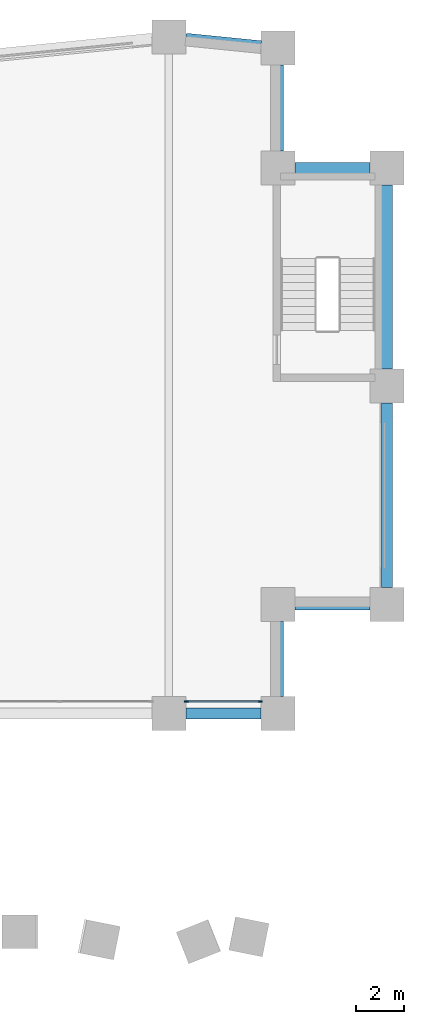
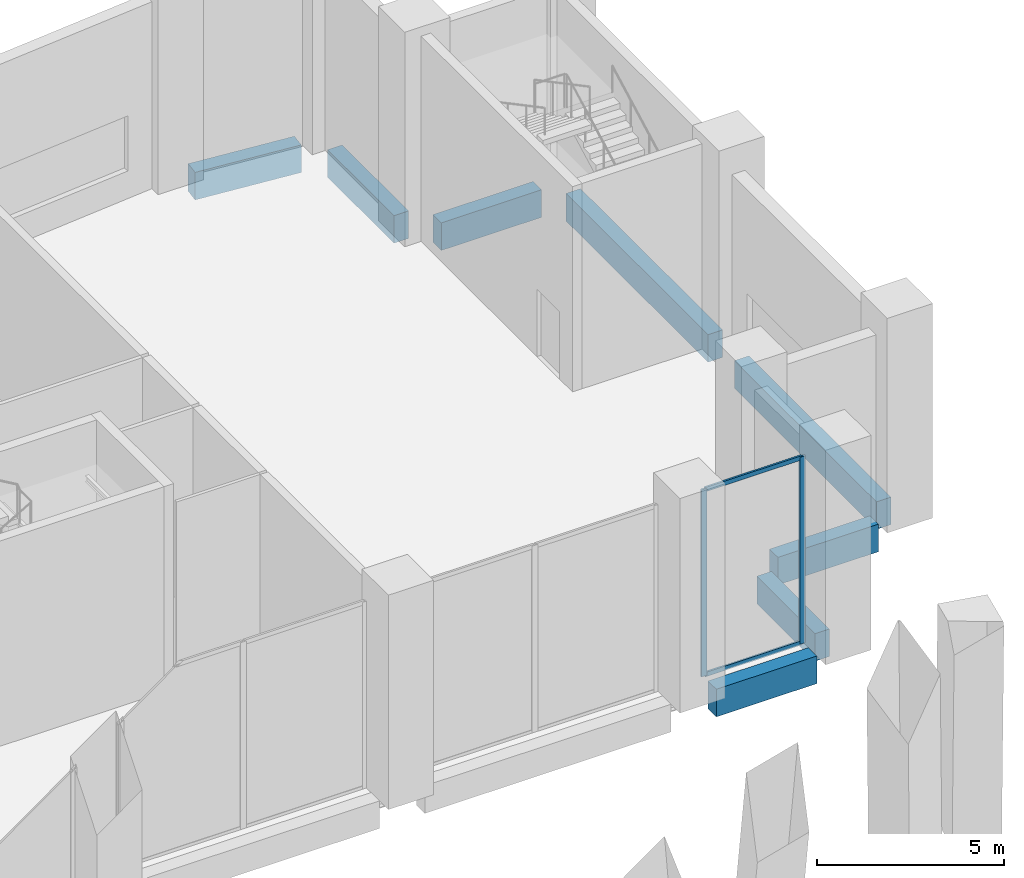
# One storey, part 8 of 18: 8 beams, 4 members, 1 element without a shape of its own.
"""IFC4 building model written with IfcOpenShell, lengths in metres."""

from ifc_helpers import new_model, si_unit, direction, frame, origin, origin_2d, place, context, subcontext, project, spatial, rectangle, extrude, material, material_profile, profile_set, type_object, element, aggregate, save


model = new_model("IFC4")

# Units and contexts
model_context = context("Model", 3, precision=1e-05, world=origin(), true_north=direction((0.0, 1.0)))
body_context = subcontext(model_context, "Body", "Model", "MODEL_VIEW")
ifc_project = project(units=[si_unit("LENGTHUNIT", "METRE"), si_unit("AREAUNIT", "SQUARE_METRE"), si_unit("VOLUMEUNIT", "CUBIC_METRE"), si_unit("PLANEANGLEUNIT", "RADIAN"), si_unit("MASSUNIT", "GRAM", prefix="KILO")], contexts=[model_context])

# Site, building, storey
site_placement = place(None, origin())
site = spatial("IfcSite", under=ifc_project, at=site_placement, CompositionType="ELEMENT")
building_placement = place(site_placement, origin())
building = spatial("IfcBuilding", under=site, at=building_placement, Name="Brondeck Convention Tower", CompositionType="ELEMENT")
storey_placement = place(building_placement, frame((0.0, 0.0, 7.5)))
storey = spatial("IfcBuildingStorey", under=building, at=storey_placement, Name="L01", CompositionType="ELEMENT", Elevation=7.5)

# Curtain wall, members
ifc_material_1 = material(Name="Aluminium, bronze anodised", Category="aluminium")
curtain_wall_type = type_object("IfcCurtainWallType", Name="Podium hall curtain wall", PredefinedType="NOTDEFINED", material=ifc_material_1)
curtain_wall_placement = place(storey_placement, origin())
curtain_wall = element("IfcCurtainWall", 1, at=curtain_wall_placement, inside=storey, type_object=curtain_wall_type, Name="ENV-CW2-L01-A-S-08", PredefinedType="NOTDEFINED")
ifc_material_profile_1 = material_profile(ifc_material_1, rectangle(XDim=0.06005859375, YDim=0.179931640625, at=origin_2d()), Name="CW2 mullion")
ifc_profile_set_1 = profile_set([ifc_material_profile_1], Name="Aluminium, bronze anodised")
member_type_1 = type_object("IfcMemberType", Name="CW2 mullion", PredefinedType="MULLION", material=ifc_profile_set_1)
member_1_placement = place(storey_placement, frame((66.77001953125, 36.5, 0.0), z_axis=(0.0, 0.0, 1.0), x_axis=(0.0, -1.0, 0.0)))
member_1 = element("IfcMember", 2, at=member_1_placement, type_object=member_type_1, Name="CW2 mullion 1", PredefinedType="MULLION", context=body_context, shape_type="SweptSolid", body=[
    extrude(rectangle(XDim=0.06005859375, YDim=0.179931640625, at=origin_2d()), origin(), (0.0, 0.0, 1.0), 6.10009765625),
])
member_2_placement = place(storey_placement, frame((63.72998046875, 36.5, 0.0), z_axis=(0.0, 0.0, 1.0), x_axis=(0.0, -1.0, 0.0)))
member_2 = element("IfcMember", 3, at=member_2_placement, type_object=member_type_1, Name="CW2 mullion 2", PredefinedType="MULLION", context=body_context, shape_type="SweptSolid", body=[
    extrude(rectangle(XDim=0.06005859375, YDim=0.179931640625, at=origin_2d()), origin(), (0.0, 0.0, 1.0), 6.10009765625),
])
ifc_material_profile_2 = material_profile(ifc_material_1, rectangle(XDim=0.06005859375, YDim=0.139892578125, at=origin_2d()), Name="CW2 transom")
ifc_profile_set_2 = profile_set([ifc_material_profile_2], Name="Aluminium, bronze anodised")
member_type_2 = type_object("IfcMemberType", Name="CW2 transom", PredefinedType="USERDEFINED", material=ifc_profile_set_2)
member_3_placement = place(storey_placement, frame((66.739990234375, 36.5, 0.030029296875), z_axis=(-1.0, 0.0, 0.0), x_axis=(0.0, -1.0, 0.0)))
member_3 = element("IfcMember", 4, at=member_3_placement, type_object=member_type_2, Name="CW2 transom 1.1", ObjectType="TRANSOM", PredefinedType="USERDEFINED", context=body_context, shape_type="SweptSolid", body=[
    extrude(rectangle(XDim=0.06005859375, YDim=0.139892578125, at=origin_2d()), origin(), (0.0, 0.0, 1.0), 2.97998046875),
])
member_4_placement = place(storey_placement, frame((66.739990234375, 36.5, 6.070068359375), z_axis=(-1.0, 0.0, 0.0), x_axis=(0.0, -1.0, 0.0)))
member_4 = element("IfcMember", 5, at=member_4_placement, type_object=member_type_2, Name="CW2 transom 1.2", ObjectType="TRANSOM", PredefinedType="USERDEFINED", context=body_context, shape_type="SweptSolid", body=[
    extrude(rectangle(XDim=0.06005859375, YDim=0.139892578125, at=origin_2d()), origin(), (0.0, 0.0, 1.0), 2.97998046875),
])
aggregate(curtain_wall, [member_1, member_2, member_3, member_4])

# Beams
ifc_material_2 = material(Name="Concrete C80/95", Category="concrete")
ifc_material_profile_3 = material_profile(ifc_material_2, rectangle(XDim=0.449951171875, YDim=0.89990234375, at=origin_2d()), Name="Edge beam 450x900 Concrete C80/95")
ifc_profile_set_3 = profile_set([ifc_material_profile_3], Name="Concrete C80/95")
beam_type = type_object("IfcBeamType", Name="Edge beam 450x900 Concrete C80/95", PredefinedType="BEAM", material=ifc_profile_set_3)
for number, where, z_axis, x_axis, name in (
    (6, (63.699951171875, 36.0, -0.449951171875), (1.0, 0.0, 0.0), (0.0, 1.0, 0.0), "STR-SP-L01-013"),
    (7, (67.5, 36.699951171875, -0.449951171875), (0.0, 1.0, 0.0), (-1.0, 0.0, 0.0), "STR-SP-L01-014"),
    (8, (68.199951171875, 40.5, -0.449951171875), (1.0, 0.0, 0.0), (0.0, 1.0, 0.0), "STR-SP-L01-015"),
):
    element("IfcBeam", number, at=place(storey_placement, frame(where, z_axis=z_axis, x_axis=x_axis)), inside=storey, type_object=beam_type, Name=name, PredefinedType="BEAM", context=body_context, shape_type="SweptSolid", body=[
        extrude(rectangle(XDim=0.449951171875, YDim=0.89990234375, at=origin_2d()), origin(), (0.0, 0.0, 1.0), 3.10009765625),
    ])
for number, where, z_axis, x_axis, name in (
    (9, (72.0, 41.199951171875, -0.449951171875), (0.0, 1.0, 0.0), (-1.0, 0.0, 0.0), "STR-SP-L01-016"),
    (10, (72.0, 50.199951171875, -0.449951171875), (0.0, 1.0, 0.0), (-1.0, 0.0, 0.0), "STR-SP-L01-017"),
):
    element("IfcBeam", number, at=place(storey_placement, frame(where, z_axis=z_axis, x_axis=x_axis)), inside=storey, type_object=beam_type, Name=name, PredefinedType="BEAM", context=body_context, shape_type="SweptSolid", body=[
        extrude(rectangle(XDim=0.449951171875, YDim=0.89990234375, at=origin_2d()), origin(), (0.0, 0.0, 1.0), 7.60009765625),
    ])
beam_1_placement = place(storey_placement, frame((71.300048828125, 58.5, -0.449951171875), z_axis=(-1.0, 0.0, 0.0), x_axis=(0.0, -1.0, 0.0)))
element("IfcBeam", 11, at=beam_1_placement, inside=storey, type_object=beam_type, Name="STR-SP-L01-018", PredefinedType="BEAM", context=body_context, shape_type="SweptSolid", body=[
    extrude(rectangle(XDim=0.449951171875, YDim=0.89990234375, at=origin_2d()), origin(), (0.0, 0.0, 1.0), 3.10009765625),
])
beam_2_placement = place(storey_placement, frame((67.5, 59.199951171875, -0.449951171875), z_axis=(0.0, 1.0, 0.0), x_axis=(-1.0, 0.0, 0.0)))
element("IfcBeam", 12, at=beam_2_placement, inside=storey, type_object=beam_type, Name="STR-SP-L01-019", PredefinedType="BEAM", context=body_context, shape_type="SweptSolid", body=[
    extrude(rectangle(XDim=0.449951171875, YDim=0.89990234375, at=origin_2d()), origin(), (0.0, 0.0, 1.0), 3.550048828125),
])
beam_3_placement = place(storey_placement, frame((66.800048828125, 63.52001953125, -0.449951171875), z_axis=(-0.995035638374, 0.099519236158, 0.0), x_axis=(-0.099519236158, -0.995035638374, 0.0)))
element("IfcBeam", 13, at=beam_3_placement, inside=storey, type_object=beam_type, Name="STR-SP-L01-020", PredefinedType="BEAM", context=body_context, shape_type="SweptSolid", body=[
    extrude(rectangle(XDim=0.449951171875, YDim=0.89990234375, at=origin_2d()), origin(), (0.0, 0.0, 1.0), 3.115478515625),
])

save(model, "model.ifc")
